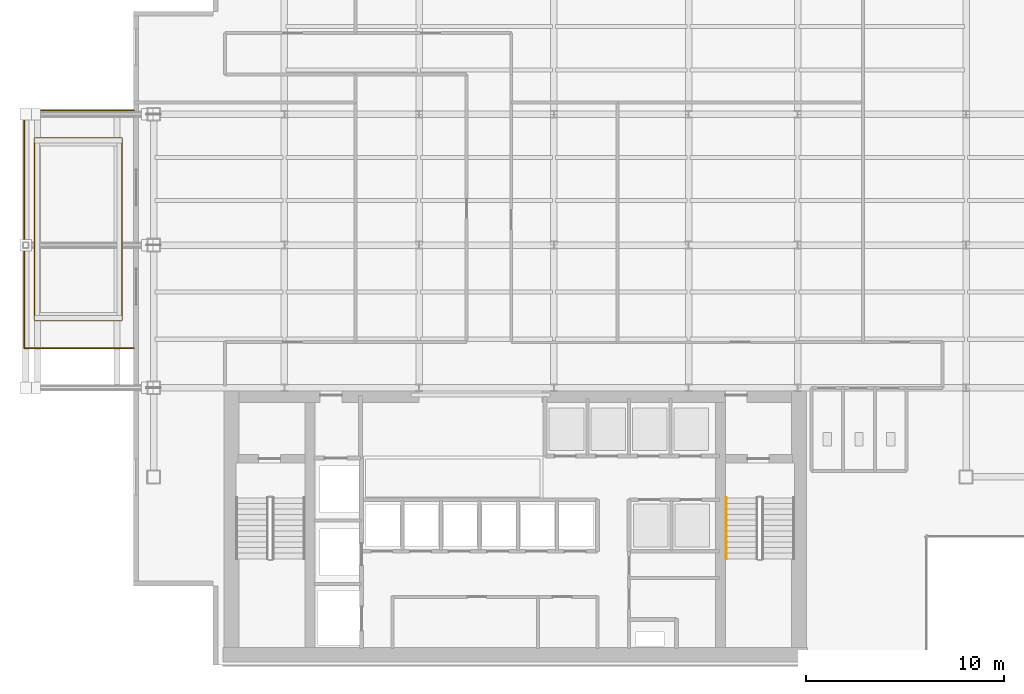
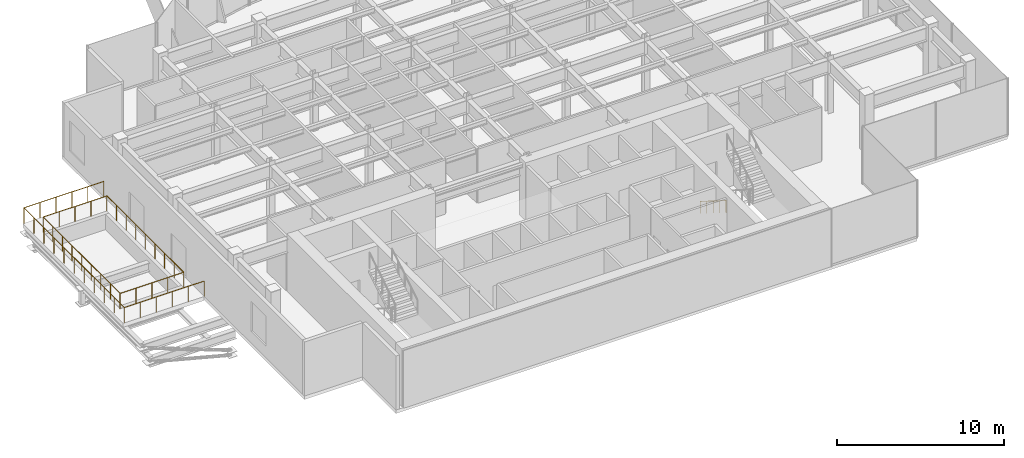
# One storey, part 22 of 26: 3 railings.
"""IFC4 building model written with IfcOpenShell, lengths in metres."""

from ifc_helpers import new_model, si_unit, derived_unit, direction, frame, origin, origin_2d, place, context, subcontext, project, spatial, circle, extrude, material, type_object, element, save


model = new_model("IFC4")

# Units and contexts
model_context = context("Model", 3, precision=1e-05, world=origin(), true_north=direction((0.0, 1.0)))
body_context = subcontext(model_context, "Body", "Model", "MODEL_VIEW")
ifc_project = project(units=[si_unit("LENGTHUNIT", "METRE"), si_unit("AREAUNIT", "SQUARE_METRE"), si_unit("VOLUMEUNIT", "CUBIC_METRE"), si_unit("PLANEANGLEUNIT", "RADIAN"), si_unit("MASSUNIT", "GRAM", prefix="KILO"), derived_unit("THERMALTRANSMITTANCEUNIT", [(si_unit("POWERUNIT", "WATT"), 1), (si_unit("LENGTHUNIT", "METRE"), -2), (si_unit("THERMODYNAMICTEMPERATUREUNIT", "KELVIN"), -1)])], contexts=[model_context])

# Site, building, storey
site_placement = place(None, origin())
site = spatial("IfcSite", under=ifc_project, at=site_placement, CompositionType="ELEMENT")
building_placement = place(site_placement, origin())
building = spatial("IfcBuilding", under=site, at=building_placement, Name="Skarnbrae Concourse Arena and Tower", CompositionType="ELEMENT")
storey_placement = place(building_placement, frame((0.0, 0.0, 184.39990234375)))
storey = spatial("IfcBuildingStorey", under=building, at=storey_placement, Name="L47", CompositionType="ELEMENT", Elevation=184.39990234375)

# Railings
ifc_material_1 = material(Name="Bronze anodised aluminium 6063-T6", Category="aluminium")
railing_type_1 = type_object("IfcRailingType", Name="RAIL-BALUSTRADE-1150", PredefinedType="BALUSTRADE", material=ifc_material_1)
railing_1_placement = place(storey_placement, frame((-5.0, 17.39990234375, 0.0)))
element("IfcRailing", 1, at=railing_1_placement, inside=storey, type_object=railing_type_1, Name="L47 Sky pool basin perimeter safety balustrade", PredefinedType="BALUSTRADE", context=body_context, shape_type="SweptSolid", body=[
    extrude(circle(Radius=0.02392578125, at=origin_2d()), frame((0.0, 0.0, 1.1259765625), z_axis=(1.0, 0.0, 0.0), x_axis=(0.0, 1.0, 0.0)), (0.0, 0.0, 1.0), 4.39990234375),
    extrude(circle(Radius=0.02392578125, at=origin_2d()), frame((4.39990234375, 0.0, 1.1259765625), z_axis=(0.0, 1.0, 0.0), x_axis=(-1.0, 0.0, 0.0)), (0.0, 0.0, 1.0), 9.2001953125),
    extrude(circle(Radius=0.02392578125, at=origin_2d()), frame((4.39990234375, 9.2001953125, 1.1259765625), z_axis=(-1.0, 0.0, 0.0), x_axis=(0.0, -1.0, 0.0)), (0.0, 0.0, 1.0), 4.39990234375),
    extrude(circle(Radius=0.02392578125, at=origin_2d()), frame((0.0, 9.2001953125, 1.1259765625), z_axis=(0.0, -1.0, 0.0), x_axis=(1.0, 0.0, 0.0)), (0.0, 0.0, 1.0), 9.2001953125),
    extrude(circle(Radius=0.02099609375, at=origin_2d()), origin(), (0.0, 0.0, 1.0), 1.101806640625),
    extrude(circle(Radius=0.02099609375, at=origin_2d()), frame((1.10009765625, 0.0, 0.0)), (0.0, 0.0, 1.0), 1.101806640625),
    extrude(circle(Radius=0.02099609375, at=origin_2d()), frame((2.199951171875, 0.0, 0.0)), (0.0, 0.0, 1.0), 1.101806640625),
    extrude(circle(Radius=0.02099609375, at=origin_2d()), frame((3.2998046875, 0.0, 0.0)), (0.0, 0.0, 1.0), 1.101806640625),
    extrude(circle(Radius=0.02099609375, at=origin_2d()), frame((4.39990234375, 0.0, 0.0)), (0.0, 0.0, 1.0), 1.101806640625),
    extrude(circle(Radius=0.02099609375, at=origin_2d()), frame((4.39990234375, 1.14990234375, 0.0)), (0.0, 0.0, 1.0), 1.101806640625),
    extrude(circle(Radius=0.02099609375, at=origin_2d()), frame((4.39990234375, 2.300048828125, 0.0)), (0.0, 0.0, 1.0), 1.101806640625),
    extrude(circle(Radius=0.02099609375, at=origin_2d()), frame((4.39990234375, 3.4501953125, 0.0)), (0.0, 0.0, 1.0), 1.101806640625),
    extrude(circle(Radius=0.02099609375, at=origin_2d()), frame((4.39990234375, 4.60009765625, 0.0)), (0.0, 0.0, 1.0), 1.101806640625),
    extrude(circle(Radius=0.02099609375, at=origin_2d()), frame((4.39990234375, 5.75, 0.0)), (0.0, 0.0, 1.0), 1.101806640625),
    extrude(circle(Radius=0.02099609375, at=origin_2d()), frame((4.39990234375, 6.900146484375, 0.0)), (0.0, 0.0, 1.0), 1.101806640625),
    extrude(circle(Radius=0.02099609375, at=origin_2d()), frame((4.39990234375, 8.05029296875, 0.0)), (0.0, 0.0, 1.0), 1.101806640625),
    extrude(circle(Radius=0.02099609375, at=origin_2d()), frame((4.39990234375, 9.2001953125, 0.0)), (0.0, 0.0, 1.0), 1.101806640625),
    extrude(circle(Radius=0.02099609375, at=origin_2d()), frame((3.2998046875, 9.2001953125, 0.0)), (0.0, 0.0, 1.0), 1.101806640625),
    extrude(circle(Radius=0.02099609375, at=origin_2d()), frame((2.199951171875, 9.2001953125, 0.0)), (0.0, 0.0, 1.0), 1.101806640625),
    extrude(circle(Radius=0.02099609375, at=origin_2d()), frame((1.10009765625, 9.2001953125, 0.0)), (0.0, 0.0, 1.0), 1.101806640625),
    extrude(circle(Radius=0.02099609375, at=origin_2d()), frame((0.0, 9.2001953125, 0.0)), (0.0, 0.0, 1.0), 1.101806640625),
    extrude(circle(Radius=0.02099609375, at=origin_2d()), frame((0.0, 8.05029296875, 0.0)), (0.0, 0.0, 1.0), 1.101806640625),
    extrude(circle(Radius=0.02099609375, at=origin_2d()), frame((0.0, 6.900146484375, 0.0)), (0.0, 0.0, 1.0), 1.101806640625),
    extrude(circle(Radius=0.02099609375, at=origin_2d()), frame((0.0, 5.75, 0.0)), (0.0, 0.0, 1.0), 1.101806640625),
    extrude(circle(Radius=0.02099609375, at=origin_2d()), frame((0.0, 4.60009765625, 0.0)), (0.0, 0.0, 1.0), 1.101806640625),
    extrude(circle(Radius=0.02099609375, at=origin_2d()), frame((0.0, 3.4501953125, 0.0)), (0.0, 0.0, 1.0), 1.101806640625),
    extrude(circle(Radius=0.02099609375, at=origin_2d()), frame((0.0, 2.300048828125, 0.0)), (0.0, 0.0, 1.0), 1.101806640625),
    extrude(circle(Radius=0.02099609375, at=origin_2d()), frame((0.0, 1.14990234375, 0.0)), (0.0, 0.0, 1.0), 1.101806640625),
])
railing_2_placement = place(storey_placement, frame((0.0, 16.0, 0.0)))
element("IfcRailing", 2, at=railing_2_placement, inside=storey, type_object=railing_type_1, Name="L47 Cantilevered sky pool perimeter balustrade", PredefinedType="BALUSTRADE", context=body_context, shape_type="SweptSolid", body=[
    extrude(circle(Radius=0.02392578125, at=origin_2d()), frame((0.0, 0.0, 1.1259765625), z_axis=(-1.0, 0.0, 0.0), x_axis=(0.0, -1.0, 0.0)), (0.0, 0.0, 1.0), 5.52001953125),
    extrude(circle(Radius=0.02392578125, at=origin_2d()), frame((-5.52001953125, 0.0, 1.1259765625), z_axis=(0.0, 1.0, 0.0), x_axis=(-1.0, 0.0, 0.0)), (0.0, 0.0, 1.0), 12.0),
    extrude(circle(Radius=0.02392578125, at=origin_2d()), frame((-5.52001953125, 12.0, 1.1259765625), z_axis=(1.0, 0.0, 0.0), x_axis=(0.0, 1.0, 0.0)), (0.0, 0.0, 1.0), 5.52001953125),
    extrude(circle(Radius=0.02099609375, at=origin_2d()), origin(), (0.0, 0.0, 1.0), 1.101806640625),
    extrude(circle(Radius=0.02099609375, at=origin_2d()), frame((-1.10400390625, 0.0, 0.0)), (0.0, 0.0, 1.0), 1.101806640625),
    extrude(circle(Radius=0.02099609375, at=origin_2d()), frame((-2.2080078125, 0.0, 0.0)), (0.0, 0.0, 1.0), 1.101806640625),
    extrude(circle(Radius=0.02099609375, at=origin_2d()), frame((-3.31201171875, 0.0, 0.0)), (0.0, 0.0, 1.0), 1.101806640625),
    extrude(circle(Radius=0.02099609375, at=origin_2d()), frame((-4.416015625, 0.0, 0.0)), (0.0, 0.0, 1.0), 1.101806640625),
    extrude(circle(Radius=0.02099609375, at=origin_2d()), frame((-5.52001953125, 0.0, 0.0)), (0.0, 0.0, 1.0), 1.101806640625),
    extrude(circle(Radius=0.02099609375, at=origin_2d()), frame((-5.52001953125, 1.199951171875, 0.0)), (0.0, 0.0, 1.0), 1.101806640625),
    extrude(circle(Radius=0.02099609375, at=origin_2d()), frame((-5.52001953125, 2.39990234375, 0.0)), (0.0, 0.0, 1.0), 1.101806640625),
    extrude(circle(Radius=0.02099609375, at=origin_2d()), frame((-5.52001953125, 3.60009765625, 0.0)), (0.0, 0.0, 1.0), 1.101806640625),
    extrude(circle(Radius=0.02099609375, at=origin_2d()), frame((-5.52001953125, 4.800048828125, 0.0)), (0.0, 0.0, 1.0), 1.101806640625),
    extrude(circle(Radius=0.02099609375, at=origin_2d()), frame((-5.52001953125, 6.0, 0.0)), (0.0, 0.0, 1.0), 1.101806640625),
    extrude(circle(Radius=0.02099609375, at=origin_2d()), frame((-5.52001953125, 7.199951171875, 0.0)), (0.0, 0.0, 1.0), 1.101806640625),
    extrude(circle(Radius=0.02099609375, at=origin_2d()), frame((-5.52001953125, 8.39990234375, 0.0)), (0.0, 0.0, 1.0), 1.101806640625),
    extrude(circle(Radius=0.02099609375, at=origin_2d()), frame((-5.52001953125, 9.60009765625, 0.0)), (0.0, 0.0, 1.0), 1.101806640625),
    extrude(circle(Radius=0.02099609375, at=origin_2d()), frame((-5.52001953125, 10.800048828125, 0.0)), (0.0, 0.0, 1.0), 1.101806640625),
    extrude(circle(Radius=0.02099609375, at=origin_2d()), frame((-5.52001953125, 12.0, 0.0)), (0.0, 0.0, 1.0), 1.101806640625),
    extrude(circle(Radius=0.02099609375, at=origin_2d()), frame((-4.416015625, 12.0, 0.0)), (0.0, 0.0, 1.0), 1.101806640625),
    extrude(circle(Radius=0.02099609375, at=origin_2d()), frame((-3.31201171875, 12.0, 0.0)), (0.0, 0.0, 1.0), 1.101806640625),
    extrude(circle(Radius=0.02099609375, at=origin_2d()), frame((-2.2080078125, 12.0, 0.0)), (0.0, 0.0, 1.0), 1.101806640625),
    extrude(circle(Radius=0.02099609375, at=origin_2d()), frame((-1.10400390625, 12.0, 0.0)), (0.0, 0.0, 1.0), 1.101806640625),
    extrude(circle(Radius=0.02099609375, at=origin_2d()), frame((0.0, 12.0, 0.0)), (0.0, 0.0, 1.0), 1.101806640625),
])
ifc_material_2 = material(Name="Steel CSA G40.21 350W", Category="steel")
railing_type_2 = type_object("IfcRailingType", Name="RAIL-HANDRAIL-900", PredefinedType="HANDRAIL", material=ifc_material_2)
railing_3_placement = place(storey_placement, frame((29.89990234375, 8.449951171875, 0.175048828125)))
element("IfcRailing", 3, at=railing_3_placement, inside=storey, type_object=railing_type_2, Name="L47 ST-2 stair handrail 1", PredefinedType="HANDRAIL", context=body_context, shape_type="SweptSolid", body=[
    extrude(circle(Radius=0.02392578125, at=origin_2d()), frame((0.0, 0.0, 0.8759765625), z_axis=(0.0, -0.847979421464, 0.530029150871), x_axis=(1.0, 0.0, 0.0)), (0.0, 0.0, 1.0), 3.632080078125),
    extrude(circle(Radius=0.02099609375, at=origin_2d()), origin(), (0.0, 0.0, 1.0), 0.851806640625),
    extrude(circle(Radius=0.02099609375, at=origin_2d()), frame((0.0, -0.77001953125, 0.481201171875)), (0.0, 0.0, 1.0), 0.851806640625),
    extrude(circle(Radius=0.02099609375, at=origin_2d()), frame((0.0, -1.5400390625, 0.96240234375)), (0.0, 0.0, 1.0), 0.851806640625),
    extrude(circle(Radius=0.02099609375, at=origin_2d()), frame((0.0, -2.309814453125, 1.44384765625)), (0.0, 0.0, 1.0), 0.851806640625),
    extrude(circle(Radius=0.02099609375, at=origin_2d()), frame((0.0, -3.079833984375, 1.925048828125)), (0.0, 0.0, 1.0), 0.851806640625),
])

save(model, "model.ifc")
